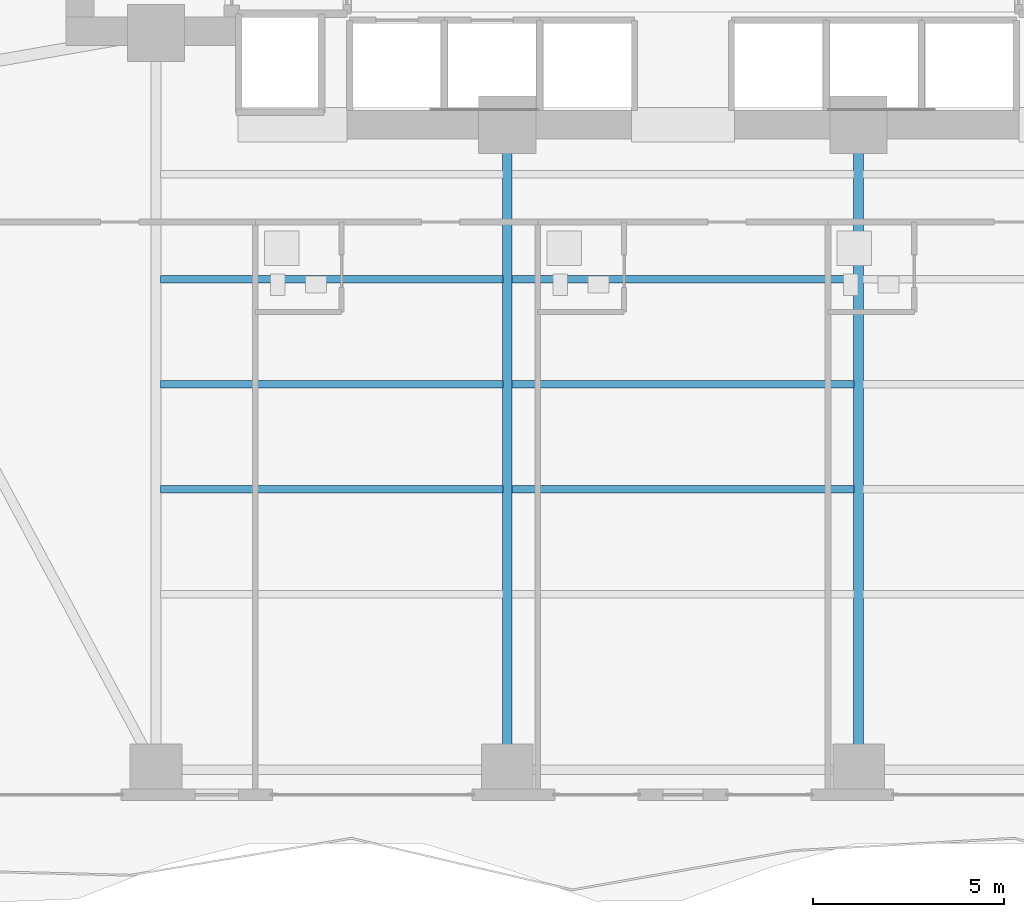
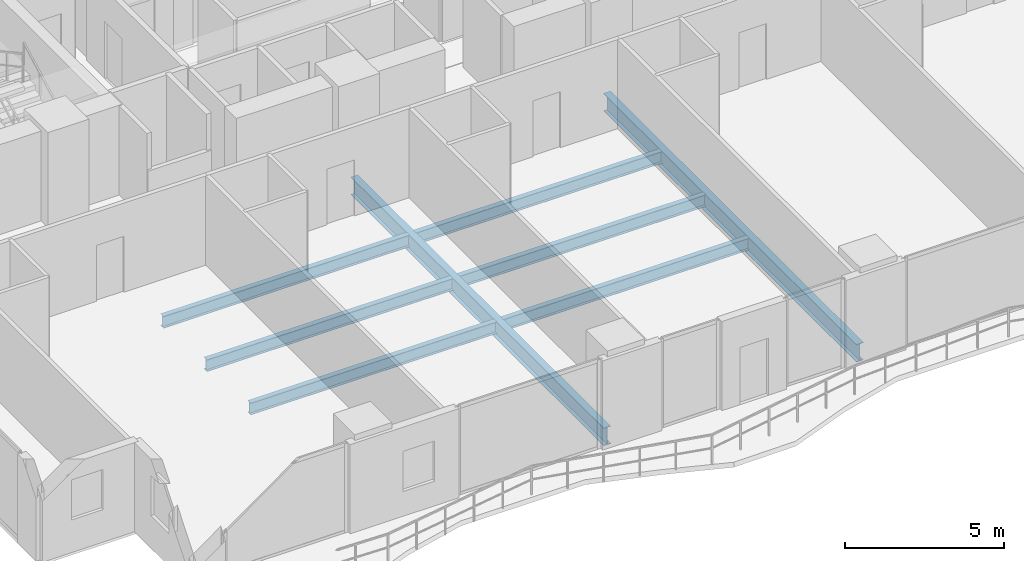
# One storey, part 6 of 28: 8 beams.
"""IFC4 building model written with IfcOpenShell, lengths in metres."""

from ifc_helpers import new_model, si_unit, direction, frame, origin, origin_2d, place, context, subcontext, project, spatial, i_section, extrude, material, material_profile, profile_set, type_object, element, save


model = new_model("IFC4")

# Units and contexts
model_context = context("Model", 3, precision=1e-05, world=origin(), true_north=direction((0.0, 1.0)))
body_context = subcontext(model_context, "Body", "Model", "MODEL_VIEW")
ifc_project = project(units=[si_unit("LENGTHUNIT", "METRE"), si_unit("AREAUNIT", "SQUARE_METRE"), si_unit("VOLUMEUNIT", "CUBIC_METRE"), si_unit("PLANEANGLEUNIT", "RADIAN"), si_unit("MASSUNIT", "GRAM", prefix="KILO")], contexts=[model_context])

# Site, building, storey
site_placement = place(None, origin())
site = spatial("IfcSite", under=ifc_project, at=site_placement, CompositionType="ELEMENT")
building_placement = place(site_placement, origin())
building = spatial("IfcBuilding", under=site, at=building_placement, Name="Zuhayl Quay Hotel", CompositionType="ELEMENT")
storey_placement = place(building_placement, frame((0.0, 0.0, 99.300048828125)))
storey = spatial("IfcBuildingStorey", under=building, at=storey_placement, Name="L24", CompositionType="ELEMENT", Elevation=99.300048828125)

# Beams
ifc_material = material(Name="Steel ASTM A992 Grade 50", Category="steel")
ifc_material_profile_1 = material_profile(ifc_material, i_section(OverallWidth=0.25390625, OverallDepth=0.68310546875, WebThickness=0.012451171875, FlangeThickness=0.018798828125, at=origin_2d()), Name="W27X94")
ifc_profile_set_1 = profile_set([ifc_material_profile_1], Name="Steel ASTM A992 Grade 50")
beam_type_1 = type_object("IfcBeamType", Name="BM_B2_W27X94", PredefinedType="BEAM", material=ifc_profile_set_1)
for number, where, z_axis, x_axis, name in (
    (1, (-4.60009765625, -14.25, -0.5615234375), (0.0, 1.0, 0.0), (-1.0, 0.0, 0.0), "L24 Floor Beam FG_S_L24_2"),
    (2, (4.60009765625, -14.25, -0.5615234375), (0.0, 1.0, 0.0), (-1.0, 0.0, 0.0), "L24 Floor Beam FG_S_L24_3"),
):
    element("IfcBeam", number, at=place(storey_placement, frame(where, z_axis=z_axis, x_axis=x_axis)), inside=storey, type_object=beam_type_1, Name=name, PredefinedType="BEAM", context=body_context, shape_type="SweptSolid", body=[
        extrude(i_section(OverallWidth=0.25390625, OverallDepth=0.68310546875, WebThickness=0.012451171875, FlangeThickness=0.018798828125, at=origin_2d()), origin(), (0.0, 0.0, 1.0), 15.949951171875),
    ])
ifc_material_profile_2 = material_profile(ifc_material, i_section(OverallWidth=0.18994140625, OverallDepth=0.45703125, WebThickness=0.009033203125, FlangeThickness=0.014404296875, at=origin_2d()), Name="W18X50")
ifc_profile_set_2 = profile_set([ifc_material_profile_2], Name="Steel ASTM A992 Grade 50")
beam_type_2 = type_object("IfcBeamType", Name="BM_J2_W18X50", PredefinedType="JOIST", material=ifc_profile_set_2)
for number, where, z_axis, x_axis, name in (
    (3, (-13.680908203125, -7.39990234375, -0.448486328125), (1.0, 0.0, 0.0), (0.0, 1.0, 0.0), "L24 Floor Beam FJ_L24_6_1"),
    (4, (-4.48095703125, -7.39990234375, -0.448486328125), (1.0, 0.0, 0.0), (0.0, 1.0, 0.0), "L24 Floor Beam FJ_L24_6_2"),
    (5, (-13.680908203125, -4.64990234375, -0.448486328125), (1.0, 0.0, 0.0), (0.0, 1.0, 0.0), "L24 Floor Beam FJ_L24_7_1"),
    (6, (-4.48095703125, -4.64990234375, -0.448486328125), (1.0, 0.0, 0.0), (0.0, 1.0, 0.0), "L24 Floor Beam FJ_L24_7_2"),
    (7, (-13.680908203125, -1.89990234375, -0.448486328125), (1.0, 0.0, 0.0), (0.0, 1.0, 0.0), "L24 Floor Beam FJ_L24_8_1"),
    (8, (-4.48095703125, -1.89990234375, -0.448486328125), (1.0, 0.0, 0.0), (0.0, 1.0, 0.0), "L24 Floor Beam FJ_L24_8_2"),
):
    element("IfcBeam", number, at=place(storey_placement, frame(where, z_axis=z_axis, x_axis=x_axis)), inside=storey, type_object=beam_type_2, Name=name, PredefinedType="JOIST", context=body_context, shape_type="SweptSolid", body=[
        extrude(i_section(OverallWidth=0.18994140625, OverallDepth=0.45703125, WebThickness=0.009033203125, FlangeThickness=0.014404296875, at=origin_2d()), origin(), (0.0, 0.0, 1.0), 8.9619140625),
    ])

save(model, "model.ifc")
